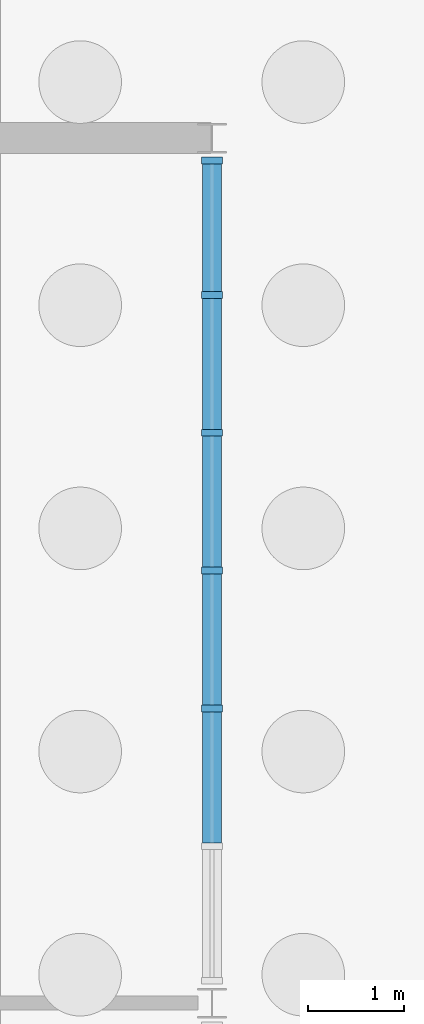
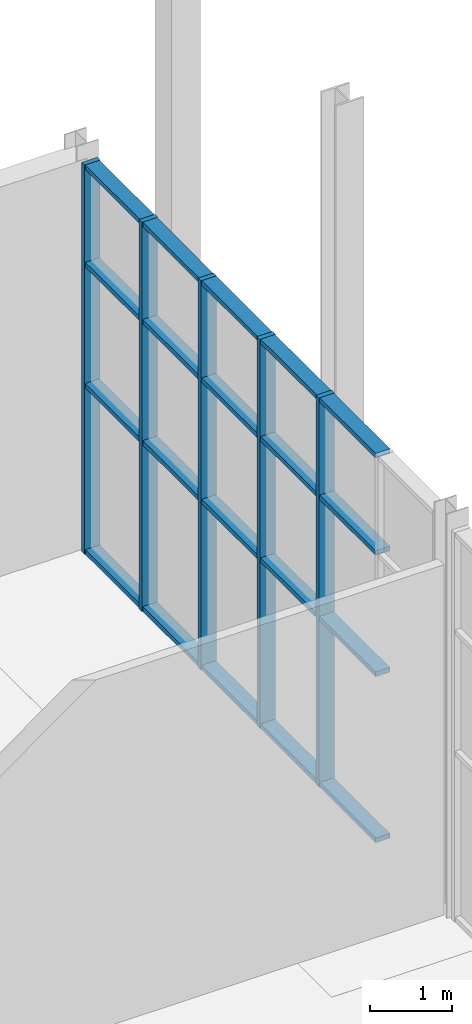
# One storey, part 72 of 131: 25 members, 1 element without a shape of its own.
"""IFC4 building model written with IfcOpenShell, lengths in metres."""

from ifc_helpers import new_model, si_unit, direction, frame, origin, origin_2d, place, context, subcontext, project, spatial, rectangle, extrude, material, layer, layer_set, material_profile, profile_set, type_object, element, aggregate, save


model = new_model("IFC4")

# Units and contexts
model_context = context("Model", 3, precision=1e-05, world=origin(), true_north=direction((0.0, 1.0)))
body_context = subcontext(model_context, "Body", "Model", "MODEL_VIEW")
ifc_project = project(units=[si_unit("LENGTHUNIT", "METRE"), si_unit("AREAUNIT", "SQUARE_METRE"), si_unit("VOLUMEUNIT", "CUBIC_METRE"), si_unit("PLANEANGLEUNIT", "RADIAN"), si_unit("MASSUNIT", "GRAM", prefix="KILO")], contexts=[model_context])

# Site, building, storey
site_placement = place(None, origin())
site = spatial("IfcSite", under=ifc_project, at=site_placement, CompositionType="ELEMENT")
building_placement = place(site_placement, origin())
building = spatial("IfcBuilding", under=site, at=building_placement, Name="Cazmaro Siding Exhibition Halls", CompositionType="ELEMENT")
storey_placement = place(building_placement, origin())
storey = spatial("IfcBuildingStorey", under=building, at=storey_placement, Name="L00", CompositionType="ELEMENT", Elevation=0.0)

# Curtain wall, members
ifc_material_1 = material(Name="Anodized Bronze Aluminum and Solar-Control Low-E Glazing", Category="aluminium")
ifc_layer = layer(ifc_material_1, 0.219970703125)
ifc_layer_set = layer_set([ifc_layer], Name="Anodized Bronze Aluminum and Solar-Control Low-E Glazing")
curtain_wall_type = type_object("IfcCurtainWallType", Name="CWS-03", PredefinedType="USERDEFINED", material=ifc_layer_set)
curtain_wall_placement = place(storey_placement, origin())
curtain_wall = element("IfcCurtainWall", 1, at=curtain_wall_placement, inside=storey, type_object=curtain_wall_type, Name="Glazed Curtain Wall CWS-03 CW-077", ObjectType="GLAZED CURTAIN WALL", PredefinedType="USERDEFINED")
ifc_material_2 = material(Name="Anodized Bronze Extruded Aluminum", Category="aluminium")
ifc_material_profile_1 = material_profile(ifc_material_2, rectangle(XDim=0.219970703125, YDim=0.070068359375, at=origin_2d()), Name="CWM-03")
ifc_profile_set_1 = profile_set([ifc_material_profile_1], Name="Anodized Bronze Extruded Aluminum")
member_type_1 = type_object("IfcMemberType", Name="CWM-03", PredefinedType="MULLION", material=ifc_profile_set_1)
member_1_placement = place(storey_placement, frame((167.800048828125, 114.865966796875, 0.0), z_axis=(0.0, 0.0, 1.0), x_axis=(-1.0, 0.0, 0.0)))
member_1 = element("IfcMember", 2, at=member_1_placement, type_object=member_type_1, Name="CWS-03 mullion 3", PredefinedType="MULLION", context=body_context, shape_type="SweptSolid", body=[
    extrude(rectangle(XDim=0.219970703125, YDim=0.070068359375, at=origin_2d()), origin(), (0.0, 0.0, 1.0), 5.780029296875),
])
member_2_placement = place(storey_placement, frame((167.800048828125, 116.300048828125, 0.0), z_axis=(0.0, 0.0, 1.0), x_axis=(-1.0, 0.0, 0.0)))
member_2 = element("IfcMember", 3, at=member_2_placement, type_object=member_type_1, Name="CWS-03 mullion 4", PredefinedType="MULLION", context=body_context, shape_type="SweptSolid", body=[
    extrude(rectangle(XDim=0.219970703125, YDim=0.070068359375, at=origin_2d()), origin(), (0.0, 0.0, 1.0), 5.780029296875),
])
member_3_placement = place(storey_placement, frame((167.800048828125, 117.73388671875, 0.0), z_axis=(0.0, 0.0, 1.0), x_axis=(-1.0, 0.0, 0.0)))
member_3 = element("IfcMember", 4, at=member_3_placement, type_object=member_type_1, Name="CWS-03 mullion 5", PredefinedType="MULLION", context=body_context, shape_type="SweptSolid", body=[
    extrude(rectangle(XDim=0.219970703125, YDim=0.070068359375, at=origin_2d()), origin(), (0.0, 0.0, 1.0), 5.780029296875),
])
member_4_placement = place(storey_placement, frame((167.800048828125, 119.16796875, 0.0), z_axis=(0.0, 0.0, 1.0), x_axis=(-1.0, 0.0, 0.0)))
member_4 = element("IfcMember", 5, at=member_4_placement, type_object=member_type_1, Name="CWS-03 mullion 6", PredefinedType="MULLION", context=body_context, shape_type="SweptSolid", body=[
    extrude(rectangle(XDim=0.219970703125, YDim=0.070068359375, at=origin_2d()), origin(), (0.0, 0.0, 1.0), 5.780029296875),
])
member_5_placement = place(storey_placement, frame((167.800048828125, 120.56689453125, 0.0), z_axis=(0.0, 0.0, 1.0), x_axis=(-1.0, 0.0, 0.0)))
member_5 = element("IfcMember", 6, at=member_5_placement, type_object=member_type_1, Name="CWS-03 mullion 7", PredefinedType="MULLION", context=body_context, shape_type="SweptSolid", body=[
    extrude(rectangle(XDim=0.219970703125, YDim=0.070068359375, at=origin_2d()), origin(), (0.0, 0.0, 1.0), 5.780029296875),
])
ifc_material_3 = material(Name="Anodized Bronze Extruded Aluminum", Category="aluminium")
ifc_material_profile_2 = material_profile(ifc_material_3, rectangle(XDim=0.199951171875, YDim=0.070068359375, at=origin_2d()), Name="CWT-03")
ifc_profile_set_2 = profile_set([ifc_material_profile_2], Name="Anodized Bronze Extruded Aluminum")
member_type_2 = type_object("IfcMemberType", Name="CWT-03", PredefinedType="MULLION", material=ifc_profile_set_2)
member_6_placement = place(storey_placement, frame((167.800048828125, 113.467041015625, 0.034912109375), z_axis=(0.0, 1.0, 0.0), x_axis=(-1.0, 0.0, 0.0)))
member_6 = element("IfcMember", 7, at=member_6_placement, type_object=member_type_2, Name="CWS-03 transom 2.1", ObjectType="TRANSOM", PredefinedType="USERDEFINED", context=body_context, shape_type="SweptSolid", body=[
    extrude(rectangle(XDim=0.199951171875, YDim=0.070068359375, at=origin_2d()), origin(), (0.0, 0.0, 1.0), 1.364013671875),
])
member_7_placement = place(storey_placement, frame((167.800048828125, 113.467041015625, 2.5), z_axis=(0.0, 1.0, 0.0), x_axis=(-1.0, 0.0, 0.0)))
member_7 = element("IfcMember", 8, at=member_7_placement, type_object=member_type_2, Name="CWS-03 transom 2.2", ObjectType="TRANSOM", PredefinedType="USERDEFINED", context=body_context, shape_type="SweptSolid", body=[
    extrude(rectangle(XDim=0.199951171875, YDim=0.070068359375, at=origin_2d()), origin(), (0.0, 0.0, 1.0), 1.364013671875),
])
member_8_placement = place(storey_placement, frame((167.800048828125, 113.467041015625, 4.300048828125), z_axis=(0.0, 1.0, 0.0), x_axis=(-1.0, 0.0, 0.0)))
member_8 = element("IfcMember", 9, at=member_8_placement, type_object=member_type_2, Name="CWS-03 transom 2.3", ObjectType="TRANSOM", PredefinedType="USERDEFINED", context=body_context, shape_type="SweptSolid", body=[
    extrude(rectangle(XDim=0.199951171875, YDim=0.070068359375, at=origin_2d()), origin(), (0.0, 0.0, 1.0), 1.364013671875),
])
member_9_placement = place(storey_placement, frame((167.800048828125, 113.467041015625, 5.7451171875), z_axis=(0.0, 1.0, 0.0), x_axis=(-1.0, 0.0, 0.0)))
member_9 = element("IfcMember", 10, at=member_9_placement, type_object=member_type_2, Name="CWS-03 transom 2.4", ObjectType="TRANSOM", PredefinedType="USERDEFINED", context=body_context, shape_type="SweptSolid", body=[
    extrude(rectangle(XDim=0.199951171875, YDim=0.070068359375, at=origin_2d()), origin(), (0.0, 0.0, 1.0), 1.364013671875),
])
member_10_placement = place(storey_placement, frame((167.800048828125, 114.90087890625, 0.034912109375), z_axis=(0.0, 1.0, 0.0), x_axis=(-1.0, 0.0, 0.0)))
member_10 = element("IfcMember", 11, at=member_10_placement, type_object=member_type_2, Name="CWS-03 transom 3.1", ObjectType="TRANSOM", PredefinedType="USERDEFINED", context=body_context, shape_type="SweptSolid", body=[
    extrude(rectangle(XDim=0.199951171875, YDim=0.070068359375, at=origin_2d()), origin(), (0.0, 0.0, 1.0), 1.364013671875),
])
member_11_placement = place(storey_placement, frame((167.800048828125, 114.90087890625, 2.5), z_axis=(0.0, 1.0, 0.0), x_axis=(-1.0, 0.0, 0.0)))
member_11 = element("IfcMember", 12, at=member_11_placement, type_object=member_type_2, Name="CWS-03 transom 3.2", ObjectType="TRANSOM", PredefinedType="USERDEFINED", context=body_context, shape_type="SweptSolid", body=[
    extrude(rectangle(XDim=0.199951171875, YDim=0.070068359375, at=origin_2d()), origin(), (0.0, 0.0, 1.0), 1.364013671875),
])
member_12_placement = place(storey_placement, frame((167.800048828125, 114.90087890625, 4.300048828125), z_axis=(0.0, 1.0, 0.0), x_axis=(-1.0, 0.0, 0.0)))
member_12 = element("IfcMember", 13, at=member_12_placement, type_object=member_type_2, Name="CWS-03 transom 3.3", ObjectType="TRANSOM", PredefinedType="USERDEFINED", context=body_context, shape_type="SweptSolid", body=[
    extrude(rectangle(XDim=0.199951171875, YDim=0.070068359375, at=origin_2d()), origin(), (0.0, 0.0, 1.0), 1.364013671875),
])
member_13_placement = place(storey_placement, frame((167.800048828125, 114.90087890625, 5.7451171875), z_axis=(0.0, 1.0, 0.0), x_axis=(-1.0, 0.0, 0.0)))
member_13 = element("IfcMember", 14, at=member_13_placement, type_object=member_type_2, Name="CWS-03 transom 3.4", ObjectType="TRANSOM", PredefinedType="USERDEFINED", context=body_context, shape_type="SweptSolid", body=[
    extrude(rectangle(XDim=0.199951171875, YDim=0.070068359375, at=origin_2d()), origin(), (0.0, 0.0, 1.0), 1.364013671875),
])
member_14_placement = place(storey_placement, frame((167.800048828125, 116.3349609375, 0.034912109375), z_axis=(0.0, 1.0, 0.0), x_axis=(-1.0, 0.0, 0.0)))
member_14 = element("IfcMember", 15, at=member_14_placement, type_object=member_type_2, Name="CWS-03 transom 4.1", ObjectType="TRANSOM", PredefinedType="USERDEFINED", context=body_context, shape_type="SweptSolid", body=[
    extrude(rectangle(XDim=0.199951171875, YDim=0.070068359375, at=origin_2d()), origin(), (0.0, 0.0, 1.0), 1.364013671875),
])
member_15_placement = place(storey_placement, frame((167.800048828125, 116.3349609375, 2.5), z_axis=(0.0, 1.0, 0.0), x_axis=(-1.0, 0.0, 0.0)))
member_15 = element("IfcMember", 16, at=member_15_placement, type_object=member_type_2, Name="CWS-03 transom 4.2", ObjectType="TRANSOM", PredefinedType="USERDEFINED", context=body_context, shape_type="SweptSolid", body=[
    extrude(rectangle(XDim=0.199951171875, YDim=0.070068359375, at=origin_2d()), origin(), (0.0, 0.0, 1.0), 1.364013671875),
])
member_16_placement = place(storey_placement, frame((167.800048828125, 116.3349609375, 4.300048828125), z_axis=(0.0, 1.0, 0.0), x_axis=(-1.0, 0.0, 0.0)))
member_16 = element("IfcMember", 17, at=member_16_placement, type_object=member_type_2, Name="CWS-03 transom 4.3", ObjectType="TRANSOM", PredefinedType="USERDEFINED", context=body_context, shape_type="SweptSolid", body=[
    extrude(rectangle(XDim=0.199951171875, YDim=0.070068359375, at=origin_2d()), origin(), (0.0, 0.0, 1.0), 1.364013671875),
])
member_17_placement = place(storey_placement, frame((167.800048828125, 116.3349609375, 5.7451171875), z_axis=(0.0, 1.0, 0.0), x_axis=(-1.0, 0.0, 0.0)))
member_17 = element("IfcMember", 18, at=member_17_placement, type_object=member_type_2, Name="CWS-03 transom 4.4", ObjectType="TRANSOM", PredefinedType="USERDEFINED", context=body_context, shape_type="SweptSolid", body=[
    extrude(rectangle(XDim=0.199951171875, YDim=0.070068359375, at=origin_2d()), origin(), (0.0, 0.0, 1.0), 1.364013671875),
])
member_18_placement = place(storey_placement, frame((167.800048828125, 117.76904296875, 0.034912109375), z_axis=(0.0, 1.0, 0.0), x_axis=(-1.0, 0.0, 0.0)))
member_18 = element("IfcMember", 19, at=member_18_placement, type_object=member_type_2, Name="CWS-03 transom 5.1", ObjectType="TRANSOM", PredefinedType="USERDEFINED", context=body_context, shape_type="SweptSolid", body=[
    extrude(rectangle(XDim=0.199951171875, YDim=0.070068359375, at=origin_2d()), origin(), (0.0, 0.0, 1.0), 1.364013671875),
])
member_19_placement = place(storey_placement, frame((167.800048828125, 117.76904296875, 2.5), z_axis=(0.0, 1.0, 0.0), x_axis=(-1.0, 0.0, 0.0)))
member_19 = element("IfcMember", 20, at=member_19_placement, type_object=member_type_2, Name="CWS-03 transom 5.2", ObjectType="TRANSOM", PredefinedType="USERDEFINED", context=body_context, shape_type="SweptSolid", body=[
    extrude(rectangle(XDim=0.199951171875, YDim=0.070068359375, at=origin_2d()), origin(), (0.0, 0.0, 1.0), 1.364013671875),
])
member_20_placement = place(storey_placement, frame((167.800048828125, 117.76904296875, 4.300048828125), z_axis=(0.0, 1.0, 0.0), x_axis=(-1.0, 0.0, 0.0)))
member_20 = element("IfcMember", 21, at=member_20_placement, type_object=member_type_2, Name="CWS-03 transom 5.3", ObjectType="TRANSOM", PredefinedType="USERDEFINED", context=body_context, shape_type="SweptSolid", body=[
    extrude(rectangle(XDim=0.199951171875, YDim=0.070068359375, at=origin_2d()), origin(), (0.0, 0.0, 1.0), 1.364013671875),
])
member_21_placement = place(storey_placement, frame((167.800048828125, 117.76904296875, 5.7451171875), z_axis=(0.0, 1.0, 0.0), x_axis=(-1.0, 0.0, 0.0)))
member_21 = element("IfcMember", 22, at=member_21_placement, type_object=member_type_2, Name="CWS-03 transom 5.4", ObjectType="TRANSOM", PredefinedType="USERDEFINED", context=body_context, shape_type="SweptSolid", body=[
    extrude(rectangle(XDim=0.199951171875, YDim=0.070068359375, at=origin_2d()), origin(), (0.0, 0.0, 1.0), 1.364013671875),
])
member_22_placement = place(storey_placement, frame((167.800048828125, 119.202880859375, 0.034912109375), z_axis=(0.0, 1.0, 0.0), x_axis=(-1.0, 0.0, 0.0)))
member_22 = element("IfcMember", 23, at=member_22_placement, type_object=member_type_2, Name="CWS-03 transom 6.1", ObjectType="TRANSOM", PredefinedType="USERDEFINED", context=body_context, shape_type="SweptSolid", body=[
    extrude(rectangle(XDim=0.199951171875, YDim=0.070068359375, at=origin_2d()), origin(), (0.0, 0.0, 1.0), 1.3291015625),
])
member_23_placement = place(storey_placement, frame((167.800048828125, 119.202880859375, 2.5), z_axis=(0.0, 1.0, 0.0), x_axis=(-1.0, 0.0, 0.0)))
member_23 = element("IfcMember", 24, at=member_23_placement, type_object=member_type_2, Name="CWS-03 transom 6.2", ObjectType="TRANSOM", PredefinedType="USERDEFINED", context=body_context, shape_type="SweptSolid", body=[
    extrude(rectangle(XDim=0.199951171875, YDim=0.070068359375, at=origin_2d()), origin(), (0.0, 0.0, 1.0), 1.3291015625),
])
member_24_placement = place(storey_placement, frame((167.800048828125, 119.202880859375, 4.300048828125), z_axis=(0.0, 1.0, 0.0), x_axis=(-1.0, 0.0, 0.0)))
member_24 = element("IfcMember", 25, at=member_24_placement, type_object=member_type_2, Name="CWS-03 transom 6.3", ObjectType="TRANSOM", PredefinedType="USERDEFINED", context=body_context, shape_type="SweptSolid", body=[
    extrude(rectangle(XDim=0.199951171875, YDim=0.070068359375, at=origin_2d()), origin(), (0.0, 0.0, 1.0), 1.3291015625),
])
member_25_placement = place(storey_placement, frame((167.800048828125, 119.202880859375, 5.7451171875), z_axis=(0.0, 1.0, 0.0), x_axis=(-1.0, 0.0, 0.0)))
member_25 = element("IfcMember", 26, at=member_25_placement, type_object=member_type_2, Name="CWS-03 transom 6.4", ObjectType="TRANSOM", PredefinedType="USERDEFINED", context=body_context, shape_type="SweptSolid", body=[
    extrude(rectangle(XDim=0.199951171875, YDim=0.070068359375, at=origin_2d()), origin(), (0.0, 0.0, 1.0), 1.3291015625),
])
aggregate(curtain_wall, [member_1, member_2, member_3, member_4, member_5, member_6, member_7, member_8, member_9, member_10, member_11, member_12, member_13, member_14, member_15, member_16, member_17, member_18, member_19, member_20, member_21, member_22, member_23, member_24, member_25])

save(model, "model.ifc")
